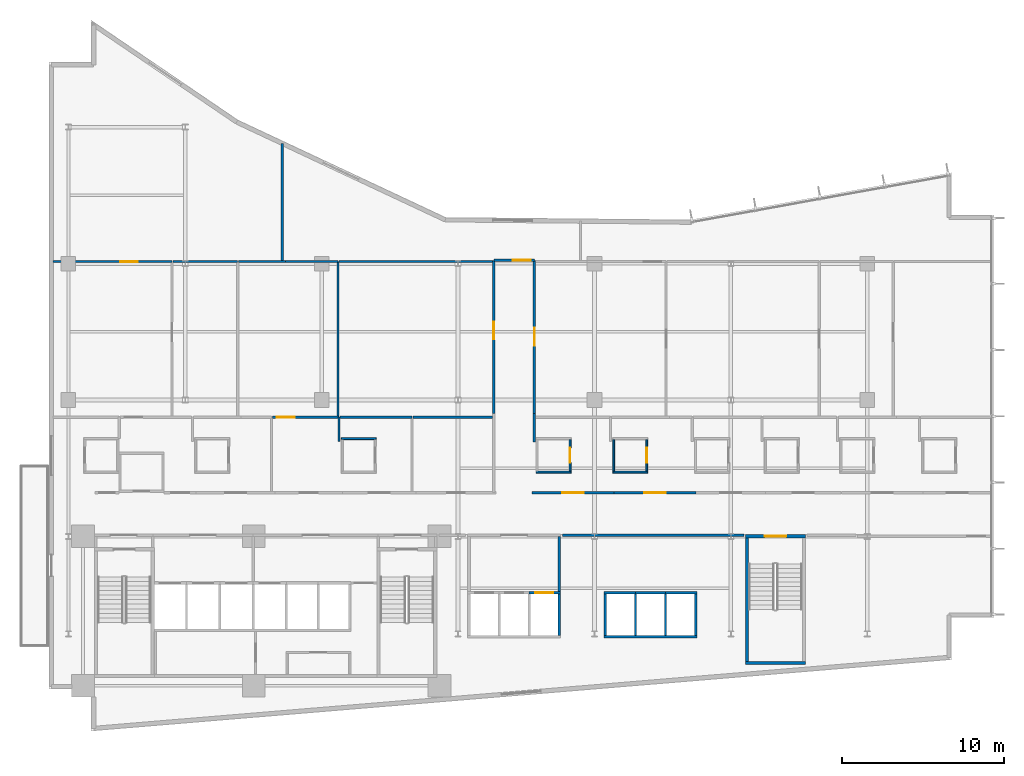
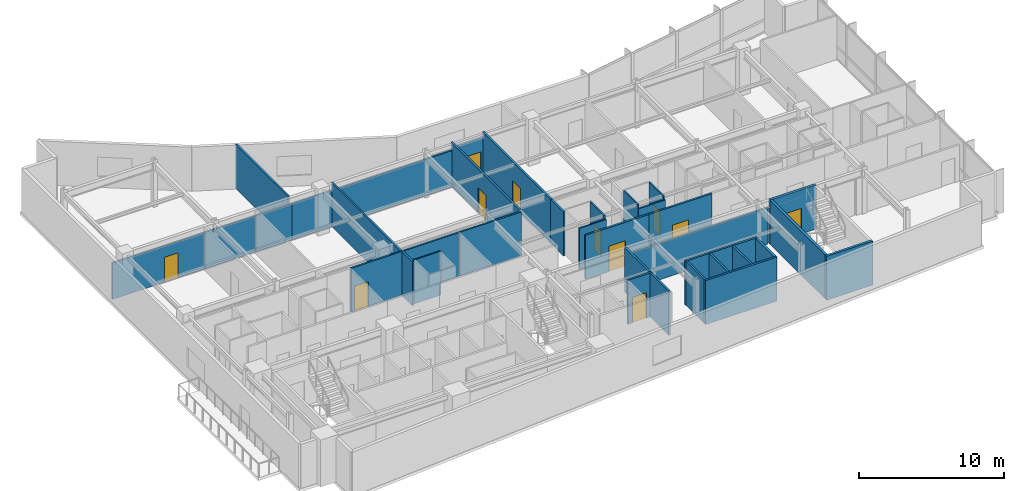
# One storey, part 14 of 20: 38 walls, 11 doors, 11 openings.
"""IFC4 building model written with IfcOpenShell, lengths in metres."""

from ifc_helpers import new_model, si_unit, direction, frame, frame_2d, origin, place, context, subcontext, project, spatial, rectangle, extrude, material, layer, layer_set, type_object, element, fill, save


model = new_model("IFC4")

# Units and contexts
model_context = context("Model", 3, precision=1e-05, world=origin(), true_north=direction((0.0, 1.0)))
body_context = subcontext(model_context, "Body", "Model", "MODEL_VIEW")
ifc_project = project(units=[si_unit("LENGTHUNIT", "METRE"), si_unit("AREAUNIT", "SQUARE_METRE"), si_unit("VOLUMEUNIT", "CUBIC_METRE"), si_unit("PLANEANGLEUNIT", "RADIAN"), si_unit("MASSUNIT", "GRAM", prefix="KILO")], contexts=[model_context])

# Site, building, storey
site_placement = place(None, origin())
site = spatial("IfcSite", under=ifc_project, at=site_placement, CompositionType="ELEMENT")
building_placement = place(site_placement, origin())
building = spatial("IfcBuilding", under=site, at=building_placement, Name="Varnakote Quay Hospital", CompositionType="ELEMENT")
storey_placement = place(building_placement, frame((0.0, 0.0, 58.050048828125)))
storey = spatial("IfcBuildingStorey", under=building, at=storey_placement, Name="L14", CompositionType="ELEMENT", Elevation=58.050048828125)

# Walls
ifc_material_1 = material(Name="Fire-rated acoustic gypsum stud wall", Category="gypsum")
ifc_layer_1 = layer(ifc_material_1, 0.159912109375)
ifc_layer_set_1 = layer_set([ifc_layer_1], Name="Fire-rated acoustic gypsum stud wall")
wall_type_1 = type_object("IfcWallType", Name="WL-COMP-160", PredefinedType="PARTITIONING", material=ifc_layer_set_1)
wall_1_placement = place(storey_placement, frame((31.429931640625, 8.610107421875, 0.0), z_axis=(0.0, 0.0, 1.0), x_axis=(0.0, 1.0, 0.0)))
element("IfcWall", 1, at=wall_1_placement, inside=storey, type_object=wall_type_1, Name="L14 Low-Rise Lift Lobby East Wall", PredefinedType="PARTITIONING", context=body_context, shape_type="SweptSolid", body=[
    extrude(rectangle(XDim=3.389892578125, YDim=0.159912109375, at=frame_2d((1.69482421875, 0.0))), origin(), (0.0, 0.0, 1.0), 3.7099609375),
])
wall_2_placement = place(storey_placement, frame((31.6298828125, 12.080078125, 0.0), z_axis=(0.0, 0.0, 1.0), x_axis=(1.0, 0.0, 0.0)))
element("IfcWall", 2, at=wall_2_placement, inside=storey, type_object=wall_type_1, Name="L14 Corridor South Gap Wall", PredefinedType="PARTITIONING", context=body_context, shape_type="SweptSolid", body=[
    extrude(rectangle(XDim=11.180908203125, YDim=0.159912109375, at=frame_2d((5.59033203125, 0.0))), origin(), (0.0, 0.0, 1.0), 3.072998046875),
])
ifc_material_2 = material(Name="Moisture-resistant bathroom partition", Category="gypsum")
ifc_layer_2 = layer(ifc_material_2, 0.114990234375)
ifc_layer_set_2 = layer_set([ifc_layer_2], Name="Moisture-resistant bathroom partition")
wall_type_2 = type_object("IfcWallType", Name="WL-ENS-115", PredefinedType="PARTITIONING", material=ifc_layer_set_2)
wall_3_placement = place(storey_placement, frame((18.0048828125, 18.017578125, 0.0), z_axis=(0.0, 0.0, 1.0), x_axis=(1.0, 0.0, 0.0)))
element("IfcWall", 3, at=wall_3_placement, inside=storey, type_object=wall_type_2, Name="L14 Inpatient En-Suite Bathroom 03 N Wall", PredefinedType="PARTITIONING", context=body_context, shape_type="SweptSolid", body=[
    extrude(rectangle(XDim=2.150146484375, YDim=0.114990234375, at=frame_2d((1.0751953125, 0.0))), origin(), (0.0, 0.0, 1.0), 3.7099609375),
])
wall_4_placement = place(storey_placement, frame((30.0048828125, 15.952392578125, 0.0), z_axis=(0.0, 0.0, 1.0), x_axis=(1.0, 0.0, 0.0)))
element("IfcWall", 4, at=wall_4_placement, inside=storey, type_object=wall_type_2, Name="L14 Inpatient En-Suite Bathroom 04 S Wall", PredefinedType="PARTITIONING", context=body_context, shape_type="SweptSolid", body=[
    extrude(rectangle(XDim=2.150146484375, YDim=0.114990234375, at=frame_2d((1.0751953125, 0.0))), origin(), (0.0, 0.0, 1.0), 3.428955078125),
])

# Wall, opening, door
wall_5_placement = place(storey_placement, frame((32.097412109375, 16.010009765625, 0.0), z_axis=(0.0, 0.0, 1.0), x_axis=(0.0, 1.0, 0.0)))
wall_5 = element("IfcWall", 5, at=wall_5_placement, inside=storey, type_object=wall_type_2, Name="L14 Inpatient En-Suite Bathroom 04 E Wall", PredefinedType="PARTITIONING", context=body_context, shape_type="SweptSolid", body=[
    extrude(rectangle(XDim=1.949951171875, YDim=0.114990234375, at=frame_2d((0.97509765625, 0.0))), origin(), (0.0, 0.0, 1.0), 3.7099609375),
])
opening_1_placement = place(wall_5_placement, frame((0.514892578125, 0.0, 0.0)))
opening_1 = element("IfcOpeningElement", 6, at=opening_1_placement, cuts=wall_5, Name="Opening D-L14-ENS04", PredefinedType="OPENING", context=body_context, shape_type="SweptSolid", body=[
    extrude(rectangle(XDim=0.919921875, YDim=2.10009765625, at=frame_2d((0.4599609375, 1.050048828125))), frame((0.0, 0.0673828125, 0.0), z_axis=(0.0, -1.0, 0.0), x_axis=(1.0, 0.0, 0.0)), (0.0, 0.0, 1.0), 0.135009765625),
])
ifc_material_3 = material(Name="Moisture-sealed en-suite bathroom door")
door_type_1 = type_object("IfcDoorType", Name="DR-ENS-920x2100", OperationType="NOTDEFINED", PredefinedType="DOOR", material=ifc_material_3)
door_1_placement = place(opening_1_placement, origin())
door_1 = element("IfcDoor", 7, at=door_1_placement, inside=storey, type_object=door_type_1, Name="L14 Inpatient En-Suite Bathroom 04 Door", OperationType="SINGLE_SWING_RIGHT", OverallHeight=2.10009765625, OverallWidth=0.919921875, PredefinedType="DOOR", context=body_context, shape_type="SweptSolid", body=[
    extrude(rectangle(XDim=0.919921875, YDim=2.10009765625, at=frame_2d((0.4599609375, 1.050048828125))), frame((0.0, 0.02490234375, 0.0), z_axis=(0.0, -1.0, 0.0), x_axis=(1.0, 0.0, 0.0)), (0.0, 0.0, 1.0), 0.050048828125),
])
fill(opening_1, door_1)

# Walls
wall_6_placement = place(storey_placement, frame((34.72509765625, 15.952392578125, 0.0), z_axis=(0.0, 0.0, 1.0), x_axis=(1.0, 0.0, 0.0)))
element("IfcWall", 8, at=wall_6_placement, inside=storey, type_object=wall_type_2, Name="L14 Inpatient En-Suite Bathroom 05 S Wall", PredefinedType="PARTITIONING", context=body_context, shape_type="SweptSolid", body=[
    extrude(rectangle(XDim=2.14990234375, YDim=0.114990234375, at=frame_2d((1.074951171875, 0.0))), origin(), (0.0, 0.0, 1.0), 3.428955078125),
])
wall_7_placement = place(storey_placement, frame((34.782470703125, 16.010009765625, 0.0), z_axis=(0.0, 0.0, 1.0), x_axis=(0.0, 1.0, 0.0)))
element("IfcWall", 9, at=wall_7_placement, inside=storey, type_object=wall_type_2, Name="L14 Inpatient En-Suite Bathroom 05 W Wall", PredefinedType="PARTITIONING", context=body_context, shape_type="SweptSolid", body=[
    extrude(rectangle(XDim=1.949951171875, YDim=0.114990234375, at=frame_2d((0.97509765625, 0.0))), origin(), (0.0, 0.0, 1.0), 3.7099609375),
])

# Wall, opening, door
wall_8_placement = place(storey_placement, frame((36.8173828125, 16.010009765625, 0.0), z_axis=(0.0, 0.0, 1.0), x_axis=(0.0, 1.0, 0.0)))
wall_8 = element("IfcWall", 10, at=wall_8_placement, inside=storey, type_object=wall_type_2, Name="L14 Inpatient En-Suite Bathroom 05 E Wall", PredefinedType="PARTITIONING", context=body_context, shape_type="SweptSolid", body=[
    extrude(rectangle(XDim=1.949951171875, YDim=0.114990234375, at=frame_2d((0.97509765625, 0.0))), origin(), (0.0, 0.0, 1.0), 3.7099609375),
])
opening_2_placement = place(wall_8_placement, frame((0.514892578125, 0.0, 0.0)))
opening_2 = element("IfcOpeningElement", 11, at=opening_2_placement, cuts=wall_8, Name="Opening D-L14-ENS05", PredefinedType="OPENING", context=body_context, shape_type="SweptSolid", body=[
    extrude(rectangle(XDim=0.919921875, YDim=2.10009765625, at=frame_2d((0.4599609375, 1.050048828125))), frame((0.0, 0.0673828125, 0.0), z_axis=(0.0, -1.0, 0.0), x_axis=(1.0, 0.0, 0.0)), (0.0, 0.0, 1.0), 0.135009765625),
])
door_2_placement = place(opening_2_placement, origin())
door_2 = element("IfcDoor", 12, at=door_2_placement, inside=storey, type_object=door_type_1, Name="L14 Inpatient En-Suite Bathroom 05 Door", OperationType="SINGLE_SWING_LEFT", OverallHeight=2.10009765625, OverallWidth=0.919921875, PredefinedType="DOOR", context=body_context, shape_type="SweptSolid", body=[
    extrude(rectangle(XDim=0.919921875, YDim=2.10009765625, at=frame_2d((0.4599609375, 1.050048828125))), frame((0.0, 0.02490234375, 0.0), z_axis=(0.0, -1.0, 0.0), x_axis=(1.0, 0.0, 0.0)), (0.0, 0.0, 1.0), 0.050048828125),
])
fill(opening_2, door_2)

# Walls
ifc_material_4 = material(Name="Concrete N50 (f'c 50 MPa)", Category="concrete")
ifc_layer_3 = layer(ifc_material_4, 0.14990234375)
ifc_layer_set_3 = layer_set([ifc_layer_3], Name="Concrete N50 (f'c 50 MPa)")
wall_type_3 = type_object("IfcWallType", Name="WL-SHAFT-N50-150", PredefinedType="SHEAR", material=ifc_layer_set_3)
for number, where, z_axis, x_axis, name in (
    (13, (36.125, 5.89990234375, 0.0), (0.0, 0.0, 1.0), (0.0, 1.0, 0.0), "L14 LF-PM1 Hoistway Divider Wall"),
    (14, (37.97509765625, 5.89990234375, 0.0), (0.0, 0.0, 1.0), (0.0, 1.0, 0.0), "L14 LF-PM2 Hoistway Divider Wall"),
):
    element("IfcWall", number, at=place(storey_placement, frame(where, z_axis=z_axis, x_axis=x_axis)), inside=storey, type_object=wall_type_3, Name=name, PredefinedType="SHEAR", context=body_context, shape_type="SweptSolid", body=[
        extrude(rectangle(XDim=2.550048828125, YDim=0.14990234375, at=frame_2d((1.27490234375, 0.0))), origin(), (0.0, 0.0, 1.0), 3.7099609375),
    ])
ifc_material_5 = material(Name="Concrete N50 (f'c 50 MPa)", Category="concrete")
ifc_layer_4 = layer(ifc_material_5, 0.159912109375)
ifc_layer_set_4 = layer_set([ifc_layer_4], Name="Concrete N50 (f'c 50 MPa)")
wall_type_4 = type_object("IfcWallType", Name="WL-SHAFT-N50-160", PredefinedType="SHEAR", material=ifc_layer_set_4)
wall_9_placement = place(storey_placement, frame((31.429931640625, 5.89990234375, 0.0), z_axis=(0.0, 0.0, 1.0), x_axis=(0.0, 1.0, 0.0)))
element("IfcWall", 15, at=wall_9_placement, inside=storey, type_object=wall_type_4, Name="L14 LOW Lift Bank East Shear Wall", PredefinedType="SHEAR", context=body_context, shape_type="SweptSolid", body=[
    extrude(rectangle(XDim=2.550048828125, YDim=0.159912109375, at=frame_2d((1.27490234375, 0.0))), origin(), (0.0, 0.0, 1.0), 3.7099609375),
])

# Wall, opening, door
wall_10_placement = place(storey_placement, frame((29.574951171875, 8.530029296875, 0.0), z_axis=(0.0, 0.0, 1.0), x_axis=(1.0, 0.0, 0.0)))
wall_10 = element("IfcWall", 16, at=wall_10_placement, inside=storey, type_object=wall_type_4, Name="L14 LF-PL3 Hoistway Front Wall", PredefinedType="SHEAR", context=body_context, shape_type="SweptSolid", body=[
    extrude(rectangle(XDim=1.93505859375, YDim=0.159912109375, at=frame_2d((0.967529296875, 0.0))), origin(), (0.0, 0.0, 1.0), 3.7099609375),
])
opening_3_placement = place(wall_10_placement, frame((0.375, 0.0, 0.0)))
opening_3 = element("IfcOpeningElement", 17, at=opening_3_placement, cuts=wall_10, Name="Opening LD-PL3-L14", PredefinedType="OPENING", context=body_context, shape_type="SweptSolid", body=[
    extrude(rectangle(XDim=1.10009765625, YDim=2.14990234375, at=frame_2d((0.550048828125, 1.074951171875))), frame((0.0, 0.08984375, 0.0), z_axis=(0.0, -1.0, 0.0), x_axis=(1.0, 0.0, 0.0)), (0.0, 0.0, 1.0), 0.179931640625),
])
ifc_material_6 = material(Name="Brushed bronze lift landing sliding door")
door_type_2 = type_object("IfcDoorType", Name="DR-LIFT-LD-1100x2150", OperationType="NOTDEFINED", PredefinedType="DOOR", material=ifc_material_6)
door_3_placement = place(opening_3_placement, origin())
door_3 = element("IfcDoor", 18, at=door_3_placement, inside=storey, type_object=door_type_2, Name="L14 LF-PL3 Lift Landing Sliding Door", OperationType="SLIDING_TO_LEFT", OverallHeight=2.14990234375, OverallWidth=1.10009765625, PredefinedType="DOOR", context=body_context, shape_type="SweptSolid", body=[
    extrude(rectangle(XDim=1.10009765625, YDim=2.14990234375, at=frame_2d((0.550048828125, 1.074951171875))), frame((0.0, 0.02490234375, 0.0), z_axis=(0.0, -1.0, 0.0), x_axis=(1.0, 0.0, 0.0)), (0.0, 0.0, 1.0), 0.050048828125),
])
fill(opening_3, door_3)

# Walls
wall_11_placement = place(storey_placement, frame((34.18994140625, 5.820068359375, 0.0), z_axis=(0.0, 0.0, 1.0), x_axis=(1.0, 0.0, 0.0)))
element("IfcWall", 19, at=wall_11_placement, inside=storey, type_object=wall_type_4, Name="L14 MID Lift Bank Back Shear Wall", PredefinedType="SHEAR", context=body_context, shape_type="SweptSolid", body=[
    extrude(rectangle(XDim=5.719970703125, YDim=0.159912109375, at=frame_2d((2.85986328125, 0.0))), origin(), (0.0, 0.0, 1.0), 3.7099609375),
])
for number, where, z_axis, x_axis, name in (
    (20, (34.27001953125, 5.89990234375, 0.0), (0.0, 0.0, 1.0), (0.0, 1.0, 0.0), "L14 MID Lift Bank West Shear Wall"),
    (21, (39.830078125, 5.89990234375, 0.0), (0.0, 0.0, 1.0), (0.0, 1.0, 0.0), "L14 MID Lift Bank East Shear Wall"),
):
    element("IfcWall", number, at=place(storey_placement, frame(where, z_axis=z_axis, x_axis=x_axis)), inside=storey, type_object=wall_type_4, Name=name, PredefinedType="SHEAR", context=body_context, shape_type="SweptSolid", body=[
        extrude(rectangle(XDim=2.550048828125, YDim=0.159912109375, at=frame_2d((1.27490234375, 0.0))), origin(), (0.0, 0.0, 1.0), 3.7099609375),
    ])
wall_12_placement = place(storey_placement, frame((34.18994140625, 8.530029296875, 0.0), z_axis=(0.0, 0.0, 1.0), x_axis=(1.0, 0.0, 0.0)))
element("IfcWall", 22, at=wall_12_placement, inside=storey, type_object=wall_type_4, Name="L14 LF-PM1 Hoistway Front Wall", PredefinedType="SHEAR", context=body_context, shape_type="SweptSolid", body=[
    extrude(rectangle(XDim=1.93505859375, YDim=0.159912109375, at=frame_2d((0.967529296875, 0.0))), origin(), (0.0, 0.0, 1.0), 3.7099609375),
])
wall_13_placement = place(storey_placement, frame((36.125, 8.530029296875, 0.0), z_axis=(0.0, 0.0, 1.0), x_axis=(1.0, 0.0, 0.0)))
element("IfcWall", 23, at=wall_13_placement, inside=storey, type_object=wall_type_4, Name="L14 LF-PM2 Hoistway Front Wall", PredefinedType="SHEAR", context=body_context, shape_type="SweptSolid", body=[
    extrude(rectangle(XDim=1.85009765625, YDim=0.159912109375, at=frame_2d((0.925048828125, 0.0))), origin(), (0.0, 0.0, 1.0), 3.7099609375),
])
wall_14_placement = place(storey_placement, frame((37.97509765625, 8.530029296875, 0.0), z_axis=(0.0, 0.0, 1.0), x_axis=(1.0, 0.0, 0.0)))
element("IfcWall", 24, at=wall_14_placement, inside=storey, type_object=wall_type_4, Name="L14 LF-PM3 Hoistway Front Wall", PredefinedType="SHEAR", context=body_context, shape_type="SweptSolid", body=[
    extrude(rectangle(XDim=1.934814453125, YDim=0.159912109375, at=frame_2d((0.96728515625, 0.0))), origin(), (0.0, 0.0, 1.0), 3.7099609375),
])
ifc_material_7 = material(Name="Concrete N50 (f'c 50 MPa)", Category="concrete")
ifc_layer_5 = layer(ifc_material_7, 0.199951171875)
ifc_layer_set_5 = layer_set([ifc_layer_5], Name="Concrete N50 (f'c 50 MPa)")
wall_type_5 = type_object("IfcWallType", Name="WL-SHAFT-N50-200", PredefinedType="SHEAR", material=ifc_layer_set_5)
wall_15_placement = place(storey_placement, frame((42.89990234375, 4.199951171875, 0.0), z_axis=(0.0, 0.0, 1.0), x_axis=(1.0, 0.0, 0.0)))
element("IfcWall", 25, at=wall_15_placement, inside=storey, type_object=wall_type_5, Name="L14 Stair ST3 South Shaft Wall", PredefinedType="SHEAR", context=body_context, shape_type="SweptSolid", body=[
    extrude(rectangle(XDim=3.7001953125, YDim=0.199951171875, at=frame_2d((1.85009765625, 0.0))), origin(), (0.0, 0.0, 1.0), 3.7099609375),
])
wall_16_placement = place(storey_placement, frame((43.0, 4.300048828125, 0.0), z_axis=(0.0, 0.0, 1.0), x_axis=(0.0, 1.0, 0.0)))
element("IfcWall", 26, at=wall_16_placement, inside=storey, type_object=wall_type_5, Name="L14 Stair ST3 West Shaft Wall", PredefinedType="SHEAR", context=body_context, shape_type="SweptSolid", body=[
    extrude(rectangle(XDim=7.599853515625, YDim=0.199951171875, at=frame_2d((3.7998046875, 0.0))), origin(), (0.0, 0.0, 1.0), 3.7099609375),
])

# Wall, opening, door
wall_17_placement = place(storey_placement, frame((42.89990234375, 12.0, 0.0), z_axis=(0.0, 0.0, 1.0), x_axis=(1.0, 0.0, 0.0)))
wall_17 = element("IfcWall", 27, at=wall_17_placement, inside=storey, type_object=wall_type_5, Name="L14 Stair ST3 Exit Wall", PredefinedType="SHEAR", context=body_context, shape_type="SweptSolid", body=[
    extrude(rectangle(XDim=3.7001953125, YDim=0.199951171875, at=frame_2d((1.85009765625, 0.0))), origin(), (0.0, 0.0, 1.0), 3.7099609375),
])
opening_4_placement = place(wall_17_placement, frame((1.199951171875, 0.0, 0.0)))
opening_4 = element("IfcOpeningElement", 28, at=opening_4_placement, cuts=wall_17, Name="Opening D-ST3-L14", PredefinedType="OPENING", context=body_context, shape_type="SweptSolid", body=[
    extrude(rectangle(XDim=1.300048828125, YDim=2.14990234375, at=frame_2d((0.64990234375, 1.074951171875))), frame((0.0, 0.10986328125, 0.0), z_axis=(0.0, -1.0, 0.0), x_axis=(1.0, 0.0, 0.0)), (0.0, 0.0, 1.0), 0.219970703125),
])
ifc_material_8 = material(Name="Fire-rated ceramic-glazed timber exit door", Category="wood")
door_type_3 = type_object("IfcDoorType", Name="DR-STAIR-FD60S-1300x2150", OperationType="NOTDEFINED", PredefinedType="DOOR", material=ifc_material_8)
door_4_placement = place(opening_4_placement, origin())
door_4 = element("IfcDoor", 29, at=door_4_placement, inside=storey, type_object=door_type_3, Name="L14 Stair ST3 Fire Exit Door", OperationType="SINGLE_SWING_RIGHT", OverallHeight=2.14990234375, OverallWidth=1.300048828125, PredefinedType="DOOR", context=body_context, shape_type="SweptSolid", body=[
    extrude(rectangle(XDim=1.300048828125, YDim=2.14990234375, at=frame_2d((0.64990234375, 1.074951171875))), frame((0.0, 0.02490234375, 0.0), z_axis=(0.0, -1.0, 0.0), x_axis=(1.0, 0.0, 0.0)), (0.0, 0.0, 1.0), 0.050048828125),
])
fill(opening_4, door_4)

# Wall
ifc_material_9 = material(Name="Smoke-proof clinical partition", Category="gypsum")
ifc_layer_6 = layer(ifc_material_9, 0.135009765625)
ifc_layer_set_6 = layer_set([ifc_layer_6], Name="Smoke-proof clinical partition")
wall_type_6 = type_object("IfcWallType", Name="WL-SMOKE-135", PredefinedType="PARTITIONING", material=ifc_layer_set_6)
wall_18_placement = place(storey_placement, frame((17.860107421875, 17.83251953125, 0.0), z_axis=(0.0, 0.0, 1.0), x_axis=(0.0, 1.0, 0.0)))
element("IfcWall", 30, at=wall_18_placement, inside=storey, type_object=wall_type_6, Name="L14 Clinical Interior Partition", PredefinedType="PARTITIONING", context=body_context, shape_type="SweptSolid", body=[
    extrude(rectangle(XDim=1.507568359375, YDim=0.135009765625, at=frame_2d((0.75390625, 0.0))), origin(), (0.0, 0.0, 1.0), 3.7099609375),
])

# Wall, opening, door
wall_19_placement = place(storey_placement, frame((17.860107421875, 19.340087890625, 0.0), z_axis=(0.0, 0.0, 1.0), x_axis=(-1.0, 0.0, 0.0)))
wall_19 = element("IfcWall", 31, at=wall_19_placement, inside=storey, type_object=wall_type_6, Name="L14 Clinical Interior Partition", PredefinedType="PARTITIONING", context=body_context, shape_type="SweptSolid", body=[
    extrude(rectangle(XDim=4.092529296875, YDim=0.135009765625, at=frame_2d((2.04638671875, 0.0))), origin(), (0.0, 0.0, 1.0), 3.7099609375),
])
opening_5_placement = place(wall_19_placement, frame((2.727783203125, 0.0, 0.0)))
opening_5 = element("IfcOpeningElement", 32, at=opening_5_placement, cuts=wall_19, Name="Opening D-L14-MD04", PredefinedType="OPENING", context=body_context, shape_type="SweptSolid", body=[
    extrude(rectangle(XDim=1.10009765625, YDim=2.10009765625, at=frame_2d((0.550048828125, 1.050048828125))), frame((0.0, 0.077392578125, 0.0), z_axis=(0.0, -1.0, 0.0), x_axis=(1.0, 0.0, 0.0)), (0.0, 0.0, 1.0), 0.155029296875),
])
ifc_material_10 = material(Name="Acoustic timber clinical consult door", Category="wood")
door_type_4 = type_object("IfcDoorType", Name="DR-CLIN-FD30S-1100x2100", OperationType="NOTDEFINED", PredefinedType="DOOR", material=ifc_material_10)
door_5_placement = place(opening_5_placement, origin())
door_5 = element("IfcDoor", 33, at=door_5_placement, inside=storey, type_object=door_type_4, Name="L14 Clinical Education Teaching Room Door", OperationType="SINGLE_SWING_LEFT", OverallHeight=2.10009765625, OverallWidth=1.10009765625, PredefinedType="DOOR", context=body_context, shape_type="SweptSolid", body=[
    extrude(rectangle(XDim=1.10009765625, YDim=2.10009765625, at=frame_2d((0.550048828125, 1.050048828125))), frame((0.0, 0.02490234375, 0.0), z_axis=(0.0, -1.0, 0.0), x_axis=(1.0, 0.0, 0.0)), (0.0, 0.0, 1.0), 0.050048828125),
])
fill(opening_5, door_5)

# Walls
wall_20_placement = place(storey_placement, frame((22.3701171875, 19.340087890625, 0.0), z_axis=(0.0, 0.0, 1.0), x_axis=(-1.0, 0.0, 0.0)))
element("IfcWall", 34, at=wall_20_placement, inside=storey, type_object=wall_type_6, Name="L14 Clinical Interior Partition", PredefinedType="PARTITIONING", context=body_context, shape_type="SweptSolid", body=[
    extrude(rectangle(XDim=4.45263671875, YDim=0.135009765625, at=frame_2d((2.226318359375, 0.0))), origin(), (0.0, 0.0, 1.0), 3.7099609375),
])
wall_21_placement = place(storey_placement, frame((27.320068359375, 19.340087890625, 0.0), z_axis=(0.0, 0.0, 1.0), x_axis=(-1.0, 0.0, 0.0)))
element("IfcWall", 35, at=wall_21_placement, inside=storey, type_object=wall_type_6, Name="L14 Clinical Interior Partition", PredefinedType="PARTITIONING", context=body_context, shape_type="SweptSolid", body=[
    extrude(rectangle(XDim=4.892578125, YDim=0.135009765625, at=frame_2d((2.4462890625, 0.0))), origin(), (0.0, 0.0, 1.0), 3.7099609375),
])

# Wall, opening, door
wall_22_placement = place(storey_placement, frame((7.580078125, 28.919921875, 0.0), z_axis=(0.0, 0.0, 1.0), x_axis=(-1.0, 0.0, 0.0)))
wall_22 = element("IfcWall", 36, at=wall_22_placement, inside=storey, type_object=wall_type_6, Name="L14 Clinical Interior Partition", PredefinedType="PARTITIONING", context=body_context, shape_type="SweptSolid", body=[
    extrude(rectangle(XDim=7.340087890625, YDim=0.135009765625, at=frame_2d((3.669921875, 0.0))), origin(), (0.0, 0.0, 1.0), 3.072998046875),
])
opening_6_placement = place(wall_22_placement, frame((2.097900390625, 0.0, 0.0)))
opening_6 = element("IfcOpeningElement", 37, at=opening_6_placement, cuts=wall_22, Name="Opening D-L14-MD10", PredefinedType="OPENING", context=body_context, shape_type="SweptSolid", body=[
    extrude(rectangle(XDim=1.10009765625, YDim=2.10009765625, at=frame_2d((0.550048828125, 1.050048828125))), frame((0.0, 0.077392578125, 0.0), z_axis=(0.0, -1.0, 0.0), x_axis=(1.0, 0.0, 0.0)), (0.0, 0.0, 1.0), 0.155029296875),
])
door_6_placement = place(opening_6_placement, origin())
door_6 = element("IfcDoor", 38, at=door_6_placement, inside=storey, type_object=door_type_4, Name="L14 Ward Clinical Governance Office Door", OperationType="SINGLE_SWING_LEFT", OverallHeight=2.10009765625, OverallWidth=1.10009765625, PredefinedType="DOOR", context=body_context, shape_type="SweptSolid", body=[
    extrude(rectangle(XDim=1.10009765625, YDim=2.10009765625, at=frame_2d((0.550048828125, 1.050048828125))), frame((0.0, 0.02490234375, 0.0), z_axis=(0.0, -1.0, 0.0), x_axis=(1.0, 0.0, 0.0)), (0.0, 0.0, 1.0), 0.050048828125),
])
fill(opening_6, door_6)

# Walls
wall_23_placement = place(storey_placement, frame((11.6298828125, 28.919921875, 0.0), z_axis=(0.0, 0.0, 1.0), x_axis=(-1.0, 0.0, 0.0)))
element("IfcWall", 39, at=wall_23_placement, inside=storey, type_object=wall_type_6, Name="L14 Clinical Interior Partition", PredefinedType="PARTITIONING", context=body_context, shape_type="SweptSolid", body=[
    extrude(rectangle(XDim=3.992431640625, YDim=0.135009765625, at=frame_2d((1.99609375, 0.0))), origin(), (0.0, 0.0, 1.0), 3.072998046875),
])
wall_24_placement = place(storey_placement, frame((17.81005859375, 19.3974609375, 0.0), z_axis=(0.0, 0.0, 1.0), x_axis=(0.0, 1.0, 0.0)))
element("IfcWall", 40, at=wall_24_placement, inside=storey, type_object=wall_type_6, Name="L14 Clinical Interior Partition", PredefinedType="PARTITIONING", context=body_context, shape_type="SweptSolid", body=[
    extrude(rectangle(XDim=9.5224609375, YDim=0.135009765625, at=frame_2d((4.76123046875, 0.0))), origin(), (0.0, 0.0, 1.0), 3.7099609375),
])
wall_25_placement = place(storey_placement, frame((14.564697265625, 28.919921875, 0.0), z_axis=(0.0, 0.0, 1.0), x_axis=(-1.0, 0.0, 0.0)))
element("IfcWall", 41, at=wall_25_placement, inside=storey, type_object=wall_type_6, Name="L14 Clinical Interior Partition", PredefinedType="PARTITIONING", context=body_context, shape_type="SweptSolid", body=[
    extrude(rectangle(XDim=2.877197265625, YDim=0.135009765625, at=frame_2d((1.4384765625, 0.0))), origin(), (0.0, 0.0, 1.0), 3.072998046875),
])
wall_26_placement = place(storey_placement, frame((17.81005859375, 28.919921875, 0.0), z_axis=(0.0, 0.0, 1.0), x_axis=(-1.0, 0.0, 0.0)))
element("IfcWall", 42, at=wall_26_placement, inside=storey, type_object=wall_type_6, Name="L14 Clinical Interior Partition", PredefinedType="PARTITIONING", context=body_context, shape_type="SweptSolid", body=[
    extrude(rectangle(XDim=3.243408203125, YDim=0.135009765625, at=frame_2d((1.62158203125, 0.0))), origin(), (0.0, 0.0, 1.0), 3.072998046875),
])
wall_27_placement = place(storey_placement, frame((27.320068359375, 28.919921875, 0.0), z_axis=(0.0, 0.0, 1.0), x_axis=(-1.0, 0.0, 0.0)))
element("IfcWall", 43, at=wall_27_placement, inside=storey, type_object=wall_type_6, Name="L14 Clinical Interior Partition", PredefinedType="PARTITIONING", context=body_context, shape_type="SweptSolid", body=[
    extrude(rectangle(XDim=9.45263671875, YDim=0.135009765625, at=frame_2d((4.726318359375, 0.0))), origin(), (0.0, 0.0, 1.0), 3.072998046875),
])
wall_28_placement = place(storey_placement, frame((14.3701171875, 28.9775390625, 0.0), z_axis=(0.0, 0.0, 1.0), x_axis=(0.0, 1.0, 0.0)))
element("IfcWall", 44, at=wall_28_placement, inside=storey, type_object=wall_type_6, Name="L14 Clinical Interior Partition", PredefinedType="PARTITIONING", context=body_context, shape_type="SweptSolid", body=[
    extrude(rectangle(XDim=7.2216796875, YDim=0.135009765625, at=frame_2d((3.61083984375, 0.0))), origin(), (0.0, 0.0, 1.0), 3.7099609375),
])

# Wall, opening, door
ifc_material_11 = material(Name="Fire-rated clinical gypsum partition", Category="gypsum")
ifc_layer_7 = layer(ifc_material_11, 0.14990234375)
ifc_layer_set_7 = layer_set([ifc_layer_7], Name="Fire-rated clinical gypsum partition")
wall_type_7 = type_object("IfcWallType", Name="WL-WARD-150", PredefinedType="PARTITIONING", material=ifc_layer_set_7)
wall_29_placement = place(storey_placement, frame((34.805908203125, 14.679931640625, 0.0), z_axis=(0.0, 0.0, 1.0), x_axis=(-1.0, 0.0, 0.0)))
wall_29 = element("IfcWall", 45, at=wall_29_placement, inside=storey, type_object=wall_type_7, Name="L14 Clinical Interior Partition", PredefinedType="PARTITIONING", context=body_context, shape_type="SweptSolid", body=[
    extrude(rectangle(XDim=5.052001953125, YDim=0.14990234375, at=frame_2d((2.52587890625, 0.0))), origin(), (0.0, 0.0, 1.0), 3.7099609375),
])
opening_7_placement = place(wall_29_placement, frame((1.8759765625, 0.0, 0.0)))
opening_7 = element("IfcOpeningElement", 46, at=opening_7_placement, cuts=wall_29, Name="Opening D-L14-BR04", PredefinedType="OPENING", context=body_context, shape_type="SweptSolid", body=[
    extrude(rectangle(XDim=1.300048828125, YDim=2.14990234375, at=frame_2d((0.64990234375, 1.074951171875))), frame((0.0, 0.0849609375, 0.0), z_axis=(0.0, -1.0, 0.0), x_axis=(1.0, 0.0, 0.0)), (0.0, 0.0, 1.0), 0.169921875),
])
ifc_material_12 = material(Name="Solid-core timber clinical bed door", Category="wood")
door_type_5 = type_object("IfcDoorType", Name="DR-WARD-FD30S-1300x2150", OperationType="NOTDEFINED", PredefinedType="DOOR", material=ifc_material_12)
door_7_placement = place(opening_7_placement, origin())
door_7 = element("IfcDoor", 47, at=door_7_placement, inside=storey, type_object=door_type_5, Name="L14 Resident Care Bedroom 04 Door", OperationType="SINGLE_SWING_LEFT", OverallHeight=2.14990234375, OverallWidth=1.300048828125, PredefinedType="DOOR", context=body_context, shape_type="SweptSolid", body=[
    extrude(rectangle(XDim=1.300048828125, YDim=2.14990234375, at=frame_2d((0.64990234375, 1.074951171875))), frame((0.0, 0.02490234375, 0.0), z_axis=(0.0, -1.0, 0.0), x_axis=(1.0, 0.0, 0.0)), (0.0, 0.0, 1.0), 0.050048828125),
])
fill(opening_7, door_7)

wall_30_placement = place(storey_placement, frame((39.845947265625, 14.679931640625, 0.0), z_axis=(0.0, 0.0, 1.0), x_axis=(-1.0, 0.0, 0.0)))
wall_30 = element("IfcWall", 48, at=wall_30_placement, inside=storey, type_object=wall_type_7, Name="L14 Clinical Interior Partition", PredefinedType="PARTITIONING", context=body_context, shape_type="SweptSolid", body=[
    extrude(rectangle(XDim=5.037841796875, YDim=0.14990234375, at=frame_2d((2.51904296875, 0.0))), origin(), (0.0, 0.0, 1.0), 3.7099609375),
])
opening_8_placement = place(wall_30_placement, frame((1.868896484375, 0.0, 0.0)))
opening_8 = element("IfcOpeningElement", 49, at=opening_8_placement, cuts=wall_30, Name="Opening D-L14-BR05", PredefinedType="OPENING", context=body_context, shape_type="SweptSolid", body=[
    extrude(rectangle(XDim=1.300048828125, YDim=2.14990234375, at=frame_2d((0.64990234375, 1.074951171875))), frame((0.0, 0.0849609375, 0.0), z_axis=(0.0, -1.0, 0.0), x_axis=(1.0, 0.0, 0.0)), (0.0, 0.0, 1.0), 0.169921875),
])
door_8_placement = place(opening_8_placement, origin())
door_8 = element("IfcDoor", 50, at=door_8_placement, inside=storey, type_object=door_type_5, Name="L14 Resident Care Bedroom 05 Door", OperationType="SINGLE_SWING_RIGHT", OverallHeight=2.14990234375, OverallWidth=1.300048828125, PredefinedType="DOOR", context=body_context, shape_type="SweptSolid", body=[
    extrude(rectangle(XDim=1.300048828125, YDim=2.14990234375, at=frame_2d((0.64990234375, 1.074951171875))), frame((0.0, 0.02490234375, 0.0), z_axis=(0.0, -1.0, 0.0), x_axis=(1.0, 0.0, 0.0)), (0.0, 0.0, 1.0), 0.050048828125),
])
fill(opening_8, door_8)

wall_31_placement = place(storey_placement, frame((27.39990234375, 29.0, 0.0), z_axis=(0.0, 0.0, 1.0), x_axis=(0.0, -1.0, 0.0)))
wall_31 = element("IfcWall", 51, at=wall_31_placement, inside=storey, type_object=wall_type_7, Name="L14 Clinical Interior Partition", PredefinedType="PARTITIONING", context=body_context, shape_type="SweptSolid", body=[
    extrude(rectangle(XDim=9.431884765625, YDim=0.14990234375, at=frame_2d((4.7158203125, 0.0))), origin(), (0.0, 0.0, 1.0), 3.7099609375),
])
opening_9_placement = place(wall_31_placement, frame((3.769287109375, 0.0, 0.0)))
opening_9 = element("IfcOpeningElement", 52, at=opening_9_placement, cuts=wall_31, Name="Opening D-L14-MD05", PredefinedType="OPENING", context=body_context, shape_type="SweptSolid", body=[
    extrude(rectangle(XDim=1.10009765625, YDim=2.10009765625, at=frame_2d((0.550048828125, 1.050048828125))), frame((0.0, 0.0849609375, 0.0), z_axis=(0.0, -1.0, 0.0), x_axis=(1.0, 0.0, 0.0)), (0.0, 0.0, 1.0), 0.169921875),
])
door_9_placement = place(opening_9_placement, origin())
door_9 = element("IfcDoor", 53, at=door_9_placement, inside=storey, type_object=door_type_4, Name="L14 Multidisciplinary Clinical Consultation Suite Door", OperationType="SINGLE_SWING_LEFT", OverallHeight=2.10009765625, OverallWidth=1.10009765625, PredefinedType="DOOR", context=body_context, shape_type="SweptSolid", body=[
    extrude(rectangle(XDim=1.10009765625, YDim=2.10009765625, at=frame_2d((0.550048828125, 1.050048828125))), frame((0.0, 0.02490234375, 0.0), z_axis=(0.0, -1.0, 0.0), x_axis=(1.0, 0.0, 0.0)), (0.0, 0.0, 1.0), 0.050048828125),
])
fill(opening_9, door_9)

# Wall
wall_32_placement = place(storey_placement, frame((29.89990234375, 17.81396484375, 0.0), z_axis=(0.0, 0.0, 1.0), x_axis=(0.0, 1.0, 0.0)))
element("IfcWall", 54, at=wall_32_placement, inside=storey, type_object=wall_type_7, Name="L14 Clinical Interior Partition", PredefinedType="PARTITIONING", context=body_context, shape_type="SweptSolid", body=[
    extrude(rectangle(XDim=1.751953125, YDim=0.14990234375, at=frame_2d((0.8759765625, 0.0))), origin(), (0.0, 0.0, 1.0), 3.7099609375),
])

# Wall, opening, door
wall_33_placement = place(storey_placement, frame((29.89990234375, 19.568115234375, 0.0), z_axis=(0.0, 0.0, 1.0), x_axis=(0.0, 1.0, 0.0)))
wall_33 = element("IfcWall", 55, at=wall_33_placement, inside=storey, type_object=wall_type_7, Name="L14 Clinical Interior Partition", PredefinedType="PARTITIONING", context=body_context, shape_type="SweptSolid", body=[
    extrude(rectangle(XDim=9.431884765625, YDim=0.14990234375, at=frame_2d((4.7158203125, 0.0))), origin(), (0.0, 0.0, 1.0), 3.7099609375),
])
opening_10_placement = place(wall_33_placement, frame((4.166015625, 0.0, 0.0)))
opening_10 = element("IfcOpeningElement", 56, at=opening_10_placement, cuts=wall_33, Name="Opening D-L14-MD06", PredefinedType="OPENING", context=body_context, shape_type="SweptSolid", body=[
    extrude(rectangle(XDim=1.10009765625, YDim=2.10009765625, at=frame_2d((0.550048828125, 1.050048828125))), frame((0.0, 0.0849609375, 0.0), z_axis=(0.0, -1.0, 0.0), x_axis=(1.0, 0.0, 0.0)), (0.0, 0.0, 1.0), 0.169921875),
])
door_10_placement = place(opening_10_placement, origin())
door_10 = element("IfcDoor", 57, at=door_10_placement, inside=storey, type_object=door_type_4, Name="L14 Ward Clinical Governance Office Door", OperationType="SINGLE_SWING_RIGHT", OverallHeight=2.10009765625, OverallWidth=1.10009765625, PredefinedType="DOOR", context=body_context, shape_type="SweptSolid", body=[
    extrude(rectangle(XDim=1.10009765625, YDim=2.10009765625, at=frame_2d((0.550048828125, 1.050048828125))), frame((0.0, 0.02490234375, 0.0), z_axis=(0.0, -1.0, 0.0), x_axis=(1.0, 0.0, 0.0)), (0.0, 0.0, 1.0), 0.050048828125),
])
fill(opening_10, door_10)

wall_34_placement = place(storey_placement, frame((29.89990234375, 29.0, 0.0), z_axis=(0.0, 0.0, 1.0), x_axis=(-1.0, 0.0, 0.0)))
wall_34 = element("IfcWall", 58, at=wall_34_placement, inside=storey, type_object=wall_type_7, Name="L14 Clinical Interior Partition", PredefinedType="PARTITIONING", context=body_context, shape_type="SweptSolid", body=[
    extrude(rectangle(XDim=2.5, YDim=0.14990234375, at=frame_2d((1.25, 0.0))), origin(), (0.0, 0.0, 1.0), 3.279052734375),
])
opening_11_placement = place(wall_34_placement, frame((0.22509765625, 0.0, 0.0)))
opening_11 = element("IfcOpeningElement", 59, at=opening_11_placement, cuts=wall_34, Name="Opening D-L14-MD11", PredefinedType="OPENING", context=body_context, shape_type="SweptSolid", body=[
    extrude(rectangle(XDim=1.10009765625, YDim=2.10009765625, at=frame_2d((0.550048828125, 1.050048828125))), frame((0.0, 0.0849609375, 0.0), z_axis=(0.0, -1.0, 0.0), x_axis=(1.0, 0.0, 0.0)), (0.0, 0.0, 1.0), 0.169921875),
])
door_11_placement = place(opening_11_placement, origin())
door_11 = element("IfcDoor", 60, at=door_11_placement, inside=storey, type_object=door_type_4, Name="L14 Acute Telemetry Treatment Suite Door", OperationType="SINGLE_SWING_LEFT", OverallHeight=2.10009765625, OverallWidth=1.10009765625, PredefinedType="DOOR", context=body_context, shape_type="SweptSolid", body=[
    extrude(rectangle(XDim=1.10009765625, YDim=2.10009765625, at=frame_2d((0.550048828125, 1.050048828125))), frame((0.0, 0.02490234375, 0.0), z_axis=(0.0, -1.0, 0.0), x_axis=(1.0, 0.0, 0.0)), (0.0, 0.0, 1.0), 0.050048828125),
])
fill(opening_11, door_11)

save(model, "model.ifc")
